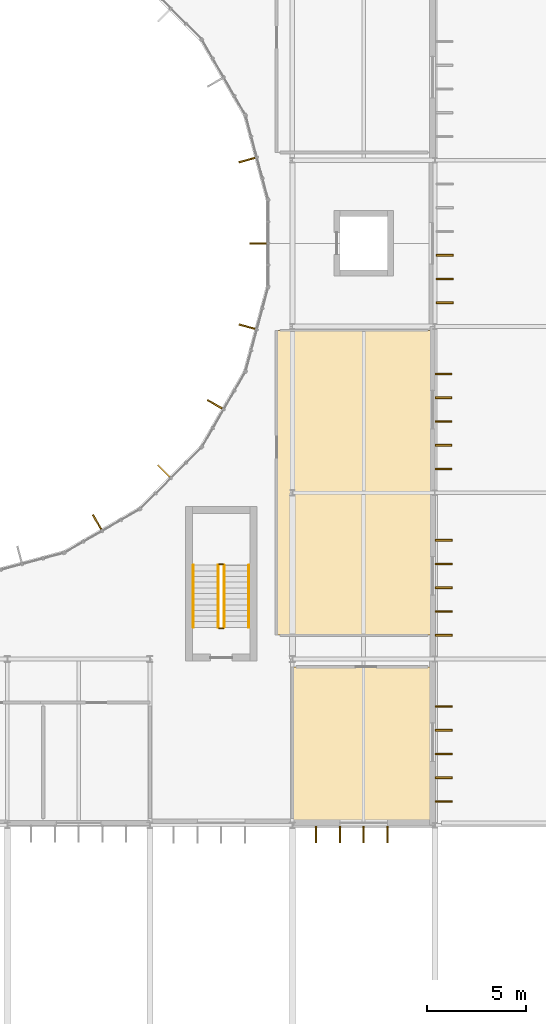
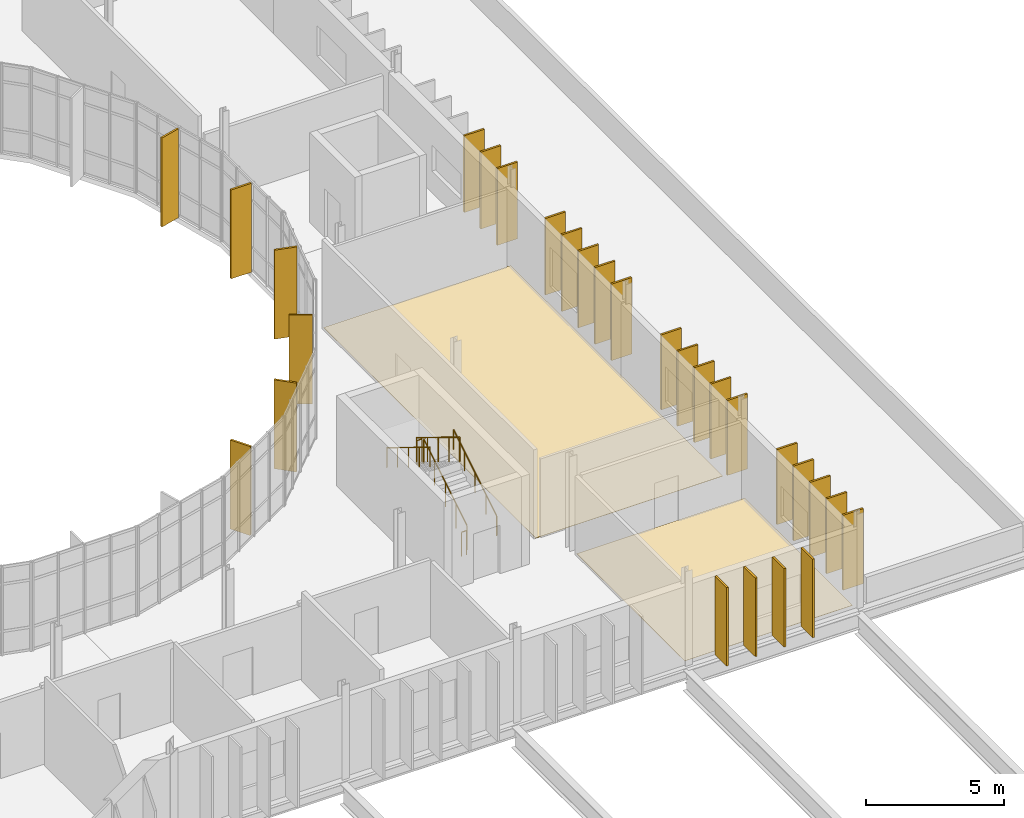
# One storey, part 98 of 99: 28 shading devices, 6 railings, 2 coverings.
"""IFC4 building model written with IfcOpenShell, lengths in metres."""

from ifc_helpers import new_model, si_unit, direction, frame, origin, origin_2d, place, context, subcontext, project, spatial, polyline, rectangle, circle, outline, extrude, material, layer, layer_set, type_object, element, save


model = new_model("IFC4")

# Units and contexts
model_context = context("Model", 3, precision=1e-05, world=origin(), true_north=direction((0.0, 1.0)))
body_context = subcontext(model_context, "Body", "Model", "MODEL_VIEW")
ifc_project = project(units=[si_unit("LENGTHUNIT", "METRE"), si_unit("AREAUNIT", "SQUARE_METRE"), si_unit("VOLUMEUNIT", "CUBIC_METRE"), si_unit("PLANEANGLEUNIT", "RADIAN"), si_unit("MASSUNIT", "GRAM", prefix="KILO")], contexts=[model_context])

# Site, building, storey
site_placement = place(None, origin())
site = spatial("IfcSite", under=ifc_project, at=site_placement, CompositionType="ELEMENT")
building_placement = place(site_placement, origin())
building = spatial("IfcBuilding", under=site, at=building_placement, Name="Qelthora Terrace Specialist Clinic", CompositionType="ELEMENT")
storey_placement = place(building_placement, frame((0.0, 0.0, 9.0)))
storey = spatial("IfcBuildingStorey", under=building, at=storey_placement, Name="L02", CompositionType="ELEMENT", Elevation=9.0)

# Coverings
ifc_material_1 = material(Name="Antimicrobial clinical linoleum flooring", Category="other")
ifc_layer = layer(ifc_material_1, 0.011962890625)
ifc_layer_set = layer_set([ifc_layer], Name="Antimicrobial clinical linoleum flooring")
covering_type = type_object("IfcCoveringType", Name="COV-FLR-LINO-12", PredefinedType="FLOORING", material=ifc_layer_set)
covering_1_placement = place(storey_placement, origin())
element("IfcCovering", 1, at=covering_1_placement, inside=storey, type_object=covering_type, Name="Hepatology Diagnostics East L02-34B resilient linoleum flooring", PredefinedType="FLOORING", context=body_context, shape_type="SweptSolid", body=[
    extrude(outline(polyline([(144.0, 33.75), (144.0, 41.60009765625), (151.050048828125, 41.60009765625), (151.050048828125, 33.75), (144.0, 33.75)])), origin(), (0.0, 0.0, 1.0), 0.011962890625),
])
covering_2_placement = place(storey_placement, origin())
element("IfcCovering", 2, at=covering_2_placement, inside=storey, type_object=covering_type, Name="Clinical Diagnostics Treatment Room L02-41 resilient linoleum flooring", PredefinedType="FLOORING", context=body_context, shape_type="SweptSolid", body=[
    extrude(outline(polyline([(143.199951171875, 43.199951171875), (143.199951171875, 58.60009765625), (151.050048828125, 58.60009765625), (151.050048828125, 43.199951171875), (143.199951171875, 43.199951171875)])), origin(), (0.0, 0.0, 1.0), 0.011962890625),
])

# Railings
ifc_material_2 = material(Name="Steel S355", Category="steel")
railing_type_1 = type_object("IfcRailingType", Name="RAL-GD-1100-S355", PredefinedType="GUARDRAIL", material=ifc_material_2)
railing_1_placement = place(storey_placement, frame((140.550048828125, 43.60009765625, 0.175048828125)))
element("IfcRailing", 3, at=railing_1_placement, inside=storey, type_object=railing_type_1, Name="L02 ST-06 stair guard 1", PredefinedType="GUARDRAIL", context=body_context, shape_type="SweptSolid", body=[
    extrude(circle(Radius=0.02392578125, at=origin_2d()), frame((0.0, 0.0, 1.076171875), z_axis=(0.0, 0.852166034122, 0.523271488128), x_axis=(-1.0, 0.0, 0.0)), (0.0, 0.0, 1.0), 3.678955078125),
    extrude(circle(Radius=0.02099609375, at=origin_2d()), origin(), (0.0, 0.0, 1.0), 1.052001953125),
    extrude(circle(Radius=0.02099609375, at=origin_2d()), frame((0.0, 0.78369140625, 0.481201171875)), (0.0, 0.0, 1.0), 1.052001953125),
    extrude(circle(Radius=0.02099609375, at=origin_2d()), frame((0.0, 1.5673828125, 0.96240234375)), (0.0, 0.0, 1.0), 1.052001953125),
    extrude(circle(Radius=0.02099609375, at=origin_2d()), frame((0.0, 2.351318359375, 1.44384765625)), (0.0, 0.0, 1.0), 1.052001953125),
    extrude(circle(Radius=0.02099609375, at=origin_2d()), frame((0.0, 3.135009765625, 1.925048828125)), (0.0, 0.0, 1.0), 1.052001953125),
])
railing_2_placement = place(storey_placement, frame((140.5, 46.784912109375, 2.10009765625)))
element("IfcRailing", 4, at=railing_2_placement, inside=storey, type_object=railing_type_1, Name="L02 ST-06 stair guard 2", PredefinedType="GUARDRAIL", context=body_context, shape_type="SweptSolid", body=[
    extrude(circle(Radius=0.02392578125, at=origin_2d()), frame((0.0, 0.0, 1.076171875), z_axis=(-1.0, 0.0, 0.0), x_axis=(0.0, -1.0, 0.0)), (0.0, 0.0, 1.0), 0.199951171875),
    extrude(circle(Radius=0.02099609375, at=origin_2d()), origin(), (0.0, 0.0, 1.0), 1.052001953125),
    extrude(circle(Radius=0.02099609375, at=origin_2d()), frame((-0.199951171875, 0.0, 0.0)), (0.0, 0.0, 1.0), 1.052001953125),
])
railing_3_placement = place(storey_placement, frame((140.25, 46.735107421875, 2.27490234375)))
element("IfcRailing", 5, at=railing_3_placement, inside=storey, type_object=railing_type_1, Name="L02 ST-06 stair guard 3", PredefinedType="GUARDRAIL", context=body_context, shape_type="SweptSolid", body=[
    extrude(circle(Radius=0.02392578125, at=origin_2d()), frame((0.0, 0.0, 1.076171875), z_axis=(0.0, -0.852166034122, 0.523271488128), x_axis=(1.0, 0.0, 0.0)), (0.0, 0.0, 1.0), 3.678955078125),
    extrude(circle(Radius=0.02099609375, at=origin_2d()), origin(), (0.0, 0.0, 1.0), 1.052001953125),
    extrude(circle(Radius=0.02099609375, at=origin_2d()), frame((0.0, -0.78369140625, 0.481201171875)), (0.0, 0.0, 1.0), 1.052001953125),
    extrude(circle(Radius=0.02099609375, at=origin_2d()), frame((0.0, -1.5673828125, 0.96240234375)), (0.0, 0.0, 1.0), 1.052001953125),
    extrude(circle(Radius=0.02099609375, at=origin_2d()), frame((0.0, -2.351318359375, 1.44384765625)), (0.0, 0.0, 1.0), 1.052001953125),
    extrude(circle(Radius=0.02099609375, at=origin_2d()), frame((0.0, -3.135009765625, 1.925048828125)), (0.0, 0.0, 1.0), 1.052001953125),
])
railing_4_placement = place(storey_placement, frame((140.5, 43.550048828125, 0.0)))
element("IfcRailing", 6, at=railing_4_placement, inside=storey, type_object=railing_type_1, Name="L02 ST-06 stair guard 4", PredefinedType="GUARDRAIL", context=body_context, shape_type="SweptSolid", body=[
    extrude(circle(Radius=0.02392578125, at=origin_2d()), frame((0.0, 0.0, 1.076171875), z_axis=(-1.0, 0.0, 0.0), x_axis=(0.0, -1.0, 0.0)), (0.0, 0.0, 1.0), 0.199951171875),
    extrude(circle(Radius=0.02099609375, at=origin_2d()), origin(), (0.0, 0.0, 1.0), 1.052001953125),
    extrude(circle(Radius=0.02099609375, at=origin_2d()), frame((-0.199951171875, 0.0, 0.0)), (0.0, 0.0, 1.0), 1.052001953125),
])
railing_type_2 = type_object("IfcRailingType", Name="RAL-HR-900-S355", PredefinedType="HANDRAIL", material=ifc_material_2)
railing_5_placement = place(storey_placement, frame((141.800048828125, 43.60009765625, 0.367919921875)))
element("IfcRailing", 7, at=railing_5_placement, inside=storey, type_object=railing_type_2, Name="L02 ST-06 stair handrail 1", PredefinedType="HANDRAIL", context=body_context, shape_type="SweptSolid", body=[
    extrude(circle(Radius=0.02392578125, at=origin_2d()), frame((0.0, 0.0, 0.8759765625), z_axis=(0.0, 0.852166034122, 0.523271488128), x_axis=(-1.0, 0.0, 0.0)), (0.0, 0.0, 1.0), 3.678955078125),
    extrude(circle(Radius=0.02099609375, at=origin_2d()), origin(), (0.0, 0.0, 1.0), 0.851806640625),
    extrude(circle(Radius=0.02099609375, at=origin_2d()), frame((0.0, 0.78369140625, 0.481201171875)), (0.0, 0.0, 1.0), 0.851806640625),
    extrude(circle(Radius=0.02099609375, at=origin_2d()), frame((0.0, 1.5673828125, 0.96240234375)), (0.0, 0.0, 1.0), 0.851806640625),
    extrude(circle(Radius=0.02099609375, at=origin_2d()), frame((0.0, 2.351318359375, 1.44384765625)), (0.0, 0.0, 1.0), 0.851806640625),
    extrude(circle(Radius=0.02099609375, at=origin_2d()), frame((0.0, 3.135009765625, 1.925048828125)), (0.0, 0.0, 1.0), 0.851806640625),
])
railing_6_placement = place(storey_placement, frame((139.0, 46.735107421875, 2.468017578125)))
element("IfcRailing", 8, at=railing_6_placement, inside=storey, type_object=railing_type_2, Name="L02 ST-06 stair handrail 2", PredefinedType="HANDRAIL", context=body_context, shape_type="SweptSolid", body=[
    extrude(circle(Radius=0.02392578125, at=origin_2d()), frame((0.0, 0.0, 0.8759765625), z_axis=(0.0, -0.852166034122, 0.523271488128), x_axis=(1.0, 0.0, 0.0)), (0.0, 0.0, 1.0), 3.678955078125),
    extrude(circle(Radius=0.02099609375, at=origin_2d()), origin(), (0.0, 0.0, 1.0), 0.851806640625),
    extrude(circle(Radius=0.02099609375, at=origin_2d()), frame((0.0, -0.78369140625, 0.481201171875)), (0.0, 0.0, 1.0), 0.851806640625),
    extrude(circle(Radius=0.02099609375, at=origin_2d()), frame((0.0, -1.5673828125, 0.96240234375)), (0.0, 0.0, 1.0), 0.851806640625),
    extrude(circle(Radius=0.02099609375, at=origin_2d()), frame((0.0, -2.351318359375, 1.44384765625)), (0.0, 0.0, 1.0), 0.851806640625),
    extrude(circle(Radius=0.02099609375, at=origin_2d()), frame((0.0, -3.135009765625, 1.925048828125)), (0.0, 0.0, 1.0), 0.851806640625),
])

# Shading devices
ifc_material_3 = material(Name="Glulam timber GL28h", Category="wood")
shading_device_type = type_object("IfcShadingDeviceType", Name="SHD-FIN-850", PredefinedType="USERDEFINED", material=ifc_material_3)
for number, where, z_axis, x_axis, name in (
    (9, (141.707275390625, 67.208740234375, 0.0), (0.0, 0.0, 1.0), (-0.965925826289, -0.258819045103, 0.0), "Court solar fin FIN-0047"),
    (10, (134.130615234375, 48.917236328125, 0.0), (0.0, 0.0, 1.0), (-0.5, 0.866025403784, 0.0), "Court solar fin FIN-0066"),
    (11, (137.49853515625, 51.50146484375, 0.0), (0.0, 0.0, 1.0), (-0.707106781187, 0.707106781187, 0.0), "Court solar fin FIN-0067"),
    (12, (140.082763671875, 54.869384765625, 0.0), (0.0, 0.0, 1.0), (-0.866025403784, 0.5, 0.0), "Court solar fin FIN-0068"),
    (13, (141.707275390625, 58.791259765625, 0.0), (0.0, 0.0, 1.0), (-0.965925826289, 0.258819045103, 0.0), "Court solar fin FIN-0069"),
    (14, (142.26123046875, 63.0, 0.0), (0.0, 0.0, 1.0), (-1.0, 0.0, 0.0), "Court solar fin FIN-0070"),
):
    element("IfcShadingDevice", number, at=place(storey_placement, frame(where, z_axis=z_axis, x_axis=x_axis)), inside=storey, type_object=shading_device_type, Name=name, ObjectType="FIN", PredefinedType="USERDEFINED", context=body_context, shape_type="SweptSolid", body=[
        extrude(rectangle(XDim=0.85009765625, YDim=0.080078125, at=origin_2d()), origin(), (0.0, 0.0, 1.0), 3.945068359375),
    ])
for number, where, z_axis, x_axis, name in (
    (15, (151.655029296875, 34.800048828125, 0.0), (0.0, 0.0, 1.0), (1.0, 0.0, 0.0), "Exterior solar shading fin FIN-1296"),
    (16, (151.655029296875, 36.0, 0.0), (0.0, 0.0, 1.0), (1.0, 0.0, 0.0), "Exterior solar shading fin FIN-1297"),
    (17, (151.655029296875, 37.199951171875, 0.0), (0.0, 0.0, 1.0), (1.0, 0.0, 0.0), "Exterior solar shading fin FIN-1298"),
    (18, (151.655029296875, 38.39990234375, 0.0), (0.0, 0.0, 1.0), (1.0, 0.0, 0.0), "Exterior solar shading fin FIN-1299"),
    (19, (151.655029296875, 39.60009765625, 0.0), (0.0, 0.0, 1.0), (1.0, 0.0, 0.0), "Exterior solar shading fin FIN-1300"),
    (20, (151.64501953125, 43.199951171875, 0.0), (0.0, 0.0, 1.0), (1.0, 0.0, 0.0), "Exterior solar shading fin FIN-1301"),
    (21, (151.64501953125, 44.39990234375, 0.0), (0.0, 0.0, 1.0), (1.0, 0.0, 0.0), "Exterior solar shading fin FIN-1302"),
    (22, (151.64501953125, 45.60009765625, 0.0), (0.0, 0.0, 1.0), (1.0, 0.0, 0.0), "Exterior solar shading fin FIN-1303"),
    (23, (151.64501953125, 46.800048828125, 0.0), (0.0, 0.0, 1.0), (1.0, 0.0, 0.0), "Exterior solar shading fin FIN-1304"),
    (24, (151.64501953125, 48.0, 0.0), (0.0, 0.0, 1.0), (1.0, 0.0, 0.0), "Exterior solar shading fin FIN-1305"),
):
    element("IfcShadingDevice", number, at=place(storey_placement, frame(where, z_axis=z_axis, x_axis=x_axis)), inside=storey, type_object=shading_device_type, Name=name, ObjectType="FIN", PredefinedType="USERDEFINED", context=body_context, shape_type="SweptSolid", body=[
        extrude(rectangle(XDim=0.85009765625, YDim=0.080078125, at=origin_2d()), origin(), (0.0, 0.0, 1.0), 3.324951171875),
    ])
for number, where, z_axis, x_axis, name in (
    (25, (151.635009765625, 51.60009765625, 0.0), (0.0, 0.0, 1.0), (1.0, 0.0, 0.0), "Exterior solar shading fin FIN-1306"),
    (26, (151.635009765625, 52.800048828125, 0.0), (0.0, 0.0, 1.0), (1.0, 0.0, 0.0), "Exterior solar shading fin FIN-1307"),
    (27, (151.635009765625, 54.0, 0.0), (0.0, 0.0, 1.0), (1.0, 0.0, 0.0), "Exterior solar shading fin FIN-1308"),
    (28, (151.635009765625, 55.199951171875, 0.0), (0.0, 0.0, 1.0), (1.0, 0.0, 0.0), "Exterior solar shading fin FIN-1309"),
    (29, (151.635009765625, 56.39990234375, 0.0), (0.0, 0.0, 1.0), (1.0, 0.0, 0.0), "Exterior solar shading fin FIN-1310"),
):
    element("IfcShadingDevice", number, at=place(storey_placement, frame(where, z_axis=z_axis, x_axis=x_axis)), inside=storey, type_object=shading_device_type, Name=name, ObjectType="FIN", PredefinedType="USERDEFINED", context=body_context, shape_type="SweptSolid", body=[
        extrude(rectangle(XDim=0.85009765625, YDim=0.080078125, at=origin_2d()), origin(), (0.0, 0.0, 1.0), 3.39794921875),
    ])
for number, where, z_axis, x_axis, name in (
    (30, (151.695068359375, 60.0, 0.0), (0.0, 0.0, 1.0), (1.0, 0.0, 0.0), "Exterior solar shading fin FIN-1311"),
    (31, (151.695068359375, 61.199951171875, 0.0), (0.0, 0.0, 1.0), (1.0, 0.0, 0.0), "Exterior solar shading fin FIN-1312"),
    (32, (151.695068359375, 62.39990234375, 0.0), (0.0, 0.0, 1.0), (1.0, 0.0, 0.0), "Exterior solar shading fin FIN-1313"),
):
    element("IfcShadingDevice", number, at=place(storey_placement, frame(where, z_axis=z_axis, x_axis=x_axis)), inside=storey, type_object=shading_device_type, Name=name, ObjectType="FIN", PredefinedType="USERDEFINED", context=body_context, shape_type="SweptSolid", body=[
        extrude(rectangle(XDim=0.85009765625, YDim=0.080078125, at=origin_2d()), origin(), (0.0, 0.0, 1.0), 3.405029296875),
    ])
for number, where, z_axis, x_axis, name in (
    (33, (145.199951171875, 33.135009765625, 0.0), (0.0, 0.0, 1.0), (0.0, -1.0, 0.0), "Exterior solar shading fin FIN-1367"),
    (34, (146.39990234375, 33.135009765625, 0.0), (0.0, 0.0, 1.0), (0.0, -1.0, 0.0), "Exterior solar shading fin FIN-1368"),
    (35, (147.60009765625, 33.135009765625, 0.0), (0.0, 0.0, 1.0), (0.0, -1.0, 0.0), "Exterior solar shading fin FIN-1369"),
    (36, (148.800048828125, 33.135009765625, 0.0), (0.0, 0.0, 1.0), (0.0, -1.0, 0.0), "Exterior solar shading fin FIN-1370"),
):
    element("IfcShadingDevice", number, at=place(storey_placement, frame(where, z_axis=z_axis, x_axis=x_axis)), inside=storey, type_object=shading_device_type, Name=name, ObjectType="FIN", PredefinedType="USERDEFINED", context=body_context, shape_type="SweptSolid", body=[
        extrude(rectangle(XDim=0.85009765625, YDim=0.080078125, at=origin_2d()), origin(), (0.0, 0.0, 1.0), 3.48193359375),
    ])

save(model, "model.ifc")
